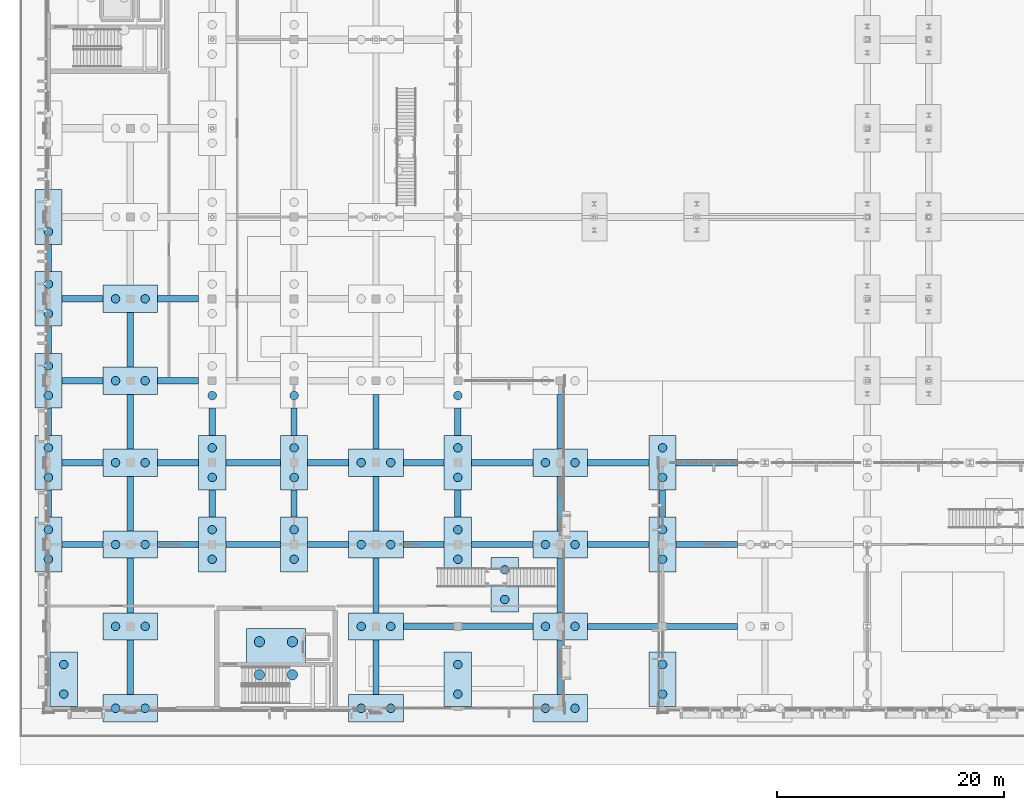
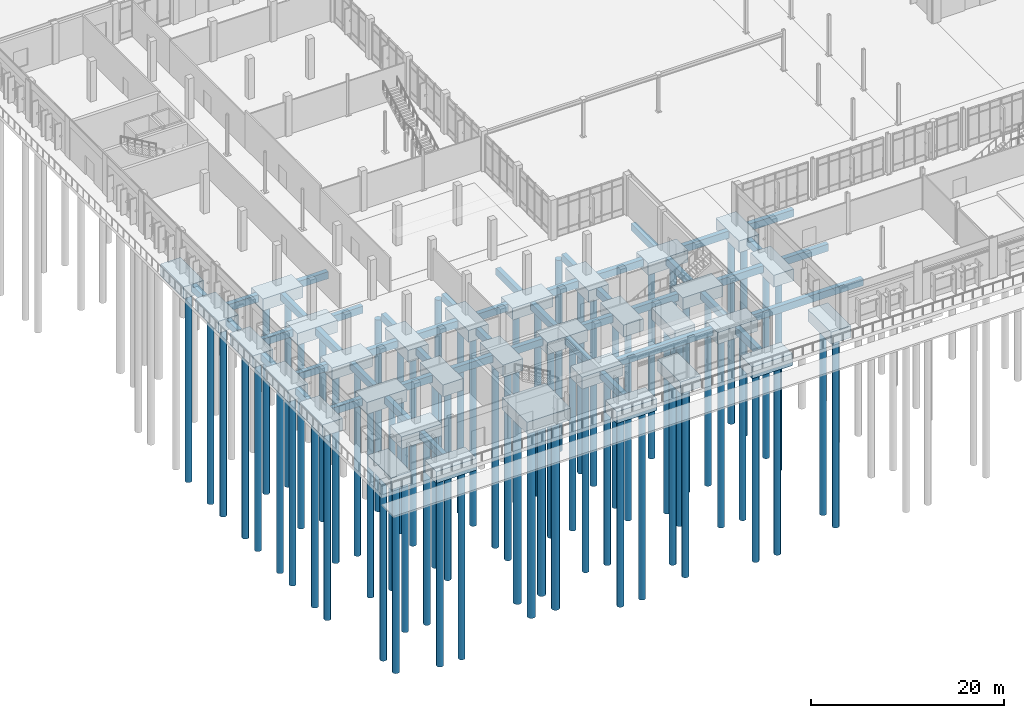
# One storey, part 1 of 94: 78 footings, 68 piles.
"""IFC4 building model written with IfcOpenShell, lengths in metres."""

from ifc_helpers import new_model, si_unit, direction, frame, origin, origin_2d, place, context, subcontext, project, spatial, rectangle, circle, extrude, material, material_profile, profile_set, type_object, element, save


model = new_model("IFC4")

# Units and contexts
model_context = context("Model", 3, precision=1e-05, world=origin(), true_north=direction((0.0, 1.0)))
body_context = subcontext(model_context, "Body", "Model", "MODEL_VIEW")
ifc_project = project(units=[si_unit("LENGTHUNIT", "METRE"), si_unit("AREAUNIT", "SQUARE_METRE"), si_unit("VOLUMEUNIT", "CUBIC_METRE"), si_unit("PLANEANGLEUNIT", "RADIAN"), si_unit("MASSUNIT", "GRAM", prefix="KILO")], contexts=[model_context])

# Site, building, storey
site_placement = place(None, origin())
site = spatial("IfcSite", under=ifc_project, at=site_placement, CompositionType="ELEMENT")
building_placement = place(site_placement, origin())
building = spatial("IfcBuilding", under=site, at=building_placement, Name="Vervanel Yard Central Library", CompositionType="ELEMENT")
storey_placement = place(building_placement, origin())
storey = spatial("IfcBuildingStorey", under=building, at=storey_placement, Name="L00", CompositionType="ELEMENT", Elevation=0.0)

# Piles
ifc_material = material(Name="Concrete C40/50", Category="concrete")
ifc_material_profile_1 = material_profile(ifc_material, circle(Radius=0.375, at=origin_2d()), Name="BP D750", Category="concrete")
ifc_profile_set_1 = profile_set([ifc_material_profile_1], Name="Concrete C40/50")
pile_type_1 = type_object("IfcPileType", Name="Bored Concrete Pile D750", PredefinedType="BORED", material=ifc_profile_set_1)
for number, where, z_axis, x_axis, name in (
    (1, (1.35009765625, 1.25, -1.75), (0.0, 0.0, -1.0), (1.0, 0.0, 0.0), "Bored Concrete Pile 405 under PCAP-100"),
    (2, (1.35009765625, 3.85009765625, -1.75), (0.0, 0.0, -1.0), (1.0, 0.0, 0.0), "Bored Concrete Pile 406 under PCAP-100"),
    (3, (0.0, 13.10009765625, -1.75), (0.0, 0.0, -1.0), (1.0, 0.0, 0.0), "Bored Concrete Pile 407 under PCAP-101"),
    (4, (0.0, 15.699951171875, -1.75), (0.0, 0.0, -1.0), (1.0, 0.0, 0.0), "Bored Concrete Pile 408 under PCAP-101"),
    (5, (0.0, 20.300048828125, -1.75), (0.0, 0.0, -1.0), (1.0, 0.0, 0.0), "Bored Concrete Pile 409 under PCAP-102"),
    (6, (0.0, 22.89990234375, -1.75), (0.0, 0.0, -1.0), (1.0, 0.0, 0.0), "Bored Concrete Pile 410 under PCAP-102"),
    (7, (0.0, 27.5, -1.75), (0.0, 0.0, -1.0), (1.0, 0.0, 0.0), "Bored Concrete Pile 411 under PCAP-103"),
    (8, (0.0, 30.10009765625, -1.75), (0.0, 0.0, -1.0), (1.0, 0.0, 0.0), "Bored Concrete Pile 412 under PCAP-103"),
    (9, (0.0, 34.699951171875, -1.75), (0.0, 0.0, -1.0), (1.0, 0.0, 0.0), "Bored Concrete Pile 413 under PCAP-104"),
    (10, (0.0, 37.300048828125, -1.75), (0.0, 0.0, -1.0), (1.0, 0.0, 0.0), "Bored Concrete Pile 414 under PCAP-104"),
    (11, (0.0, 41.89990234375, -1.75), (0.0, 0.0, -1.0), (1.0, 0.0, 0.0), "Bored Concrete Pile 415 under PCAP-105"),
    (12, (14.39990234375, 13.10009765625, -1.75), (0.0, 0.0, -1.0), (1.0, 0.0, 0.0), "Bored Concrete Pile 423 under PCAP-109"),
    (13, (14.39990234375, 15.699951171875, -1.75), (0.0, 0.0, -1.0), (1.0, 0.0, 0.0), "Bored Concrete Pile 424 under PCAP-109"),
    (14, (14.39990234375, 20.300048828125, -1.75), (0.0, 0.0, -1.0), (1.0, 0.0, 0.0), "Bored Concrete Pile 425 under PCAP-110"),
    (15, (14.39990234375, 22.89990234375, -1.75), (0.0, 0.0, -1.0), (1.0, 0.0, 0.0), "Bored Concrete Pile 426 under PCAP-110"),
    (16, (14.39990234375, 27.5, -1.75), (0.0, 0.0, -1.0), (1.0, 0.0, 0.0), "Bored Concrete Pile 427 under PCAP-111"),
    (17, (21.60009765625, 13.10009765625, -1.75), (0.0, 0.0, -1.0), (1.0, 0.0, 0.0), "Bored Concrete Pile 443 under PCAP-119"),
    (18, (21.60009765625, 15.699951171875, -1.75), (0.0, 0.0, -1.0), (1.0, 0.0, 0.0), "Bored Concrete Pile 444 under PCAP-119"),
    (19, (21.60009765625, 20.300048828125, -1.75), (0.0, 0.0, -1.0), (1.0, 0.0, 0.0), "Bored Concrete Pile 445 under PCAP-120"),
    (20, (21.60009765625, 22.89990234375, -1.75), (0.0, 0.0, -1.0), (1.0, 0.0, 0.0), "Bored Concrete Pile 446 under PCAP-120"),
    (21, (21.60009765625, 27.5, -1.75), (0.0, 0.0, -1.0), (1.0, 0.0, 0.0), "Bored Concrete Pile 447 under PCAP-121"),
    (22, (36.0, 1.25, -1.75), (0.0, 0.0, -1.0), (1.0, 0.0, 0.0), "Bored Concrete Pile 463 under PCAP-129"),
    (23, (36.0, 3.85009765625, -1.75), (0.0, 0.0, -1.0), (1.0, 0.0, 0.0), "Bored Concrete Pile 464 under PCAP-129"),
    (24, (36.0, 13.10009765625, -1.75), (0.0, 0.0, -1.0), (1.0, 0.0, 0.0), "Bored Concrete Pile 465 under PCAP-130"),
    (25, (36.0, 15.699951171875, -1.75), (0.0, 0.0, -1.0), (1.0, 0.0, 0.0), "Bored Concrete Pile 466 under PCAP-130"),
    (26, (36.0, 20.300048828125, -1.75), (0.0, 0.0, -1.0), (1.0, 0.0, 0.0), "Bored Concrete Pile 467 under PCAP-131"),
    (27, (36.0, 22.89990234375, -1.75), (0.0, 0.0, -1.0), (1.0, 0.0, 0.0), "Bored Concrete Pile 468 under PCAP-131"),
    (28, (36.0, 27.5, -1.75), (0.0, 0.0, -1.0), (1.0, 0.0, 0.0), "Bored Concrete Pile 469 under PCAP-132"),
    (29, (40.1201171875, 9.56494140625, -1.75), (0.0, 0.0, -1.0), (1.0, 0.0, 0.0), "Bored Concrete Pile 483 under PCAP-139"),
    (30, (40.1201171875, 12.1650390625, -1.75), (0.0, 0.0, -1.0), (1.0, 0.0, 0.0), "Bored Concrete Pile 484 under PCAP-139"),
    (31, (54.0, 1.25, -1.75), (0.0, 0.0, -1.0), (1.0, 0.0, 0.0), "Bored Concrete Pile 485 under PCAP-140"),
    (32, (54.0, 3.85009765625, -1.75), (0.0, 0.0, -1.0), (1.0, 0.0, 0.0), "Bored Concrete Pile 486 under PCAP-140"),
    (33, (54.0, 13.10009765625, -1.75), (0.0, 0.0, -1.0), (1.0, 0.0, 0.0), "Bored Concrete Pile 487 under PCAP-141"),
    (34, (54.0, 15.699951171875, -1.75), (0.0, 0.0, -1.0), (1.0, 0.0, 0.0), "Bored Concrete Pile 488 under PCAP-141"),
    (35, (54.0, 20.300048828125, -1.75), (0.0, 0.0, -1.0), (1.0, 0.0, 0.0), "Bored Concrete Pile 489 under PCAP-142"),
    (36, (54.0, 22.89990234375, -1.75), (0.0, 0.0, -1.0), (1.0, 0.0, 0.0), "Bored Concrete Pile 490 under PCAP-142"),
    (37, (5.89990234375, 0.0, -1.75), (0.0, 0.0, -1.0), (1.0, 0.0, 0.0), "Bored Concrete Pile 533 under PCAP-164"),
    (38, (8.5, 0.0, -1.75), (0.0, 0.0, -1.0), (1.0, 0.0, 0.0), "Bored Concrete Pile 534 under PCAP-164"),
    (39, (5.89990234375, 7.199951171875, -1.75), (0.0, 0.0, -1.0), (1.0, 0.0, 0.0), "Bored Concrete Pile 535 under PCAP-165"),
    (40, (8.5, 7.199951171875, -1.75), (0.0, 0.0, -1.0), (1.0, 0.0, 0.0), "Bored Concrete Pile 536 under PCAP-165"),
    (41, (5.89990234375, 14.39990234375, -1.75), (0.0, 0.0, -1.0), (1.0, 0.0, 0.0), "Bored Concrete Pile 537 under PCAP-166"),
    (42, (8.5, 14.39990234375, -1.75), (0.0, 0.0, -1.0), (1.0, 0.0, 0.0), "Bored Concrete Pile 538 under PCAP-166"),
    (43, (5.89990234375, 21.60009765625, -1.75), (0.0, 0.0, -1.0), (1.0, 0.0, 0.0), "Bored Concrete Pile 539 under PCAP-167"),
    (44, (8.5, 21.60009765625, -1.75), (0.0, 0.0, -1.0), (1.0, 0.0, 0.0), "Bored Concrete Pile 540 under PCAP-167"),
    (45, (5.89990234375, 28.800048828125, -1.75), (0.0, 0.0, -1.0), (1.0, 0.0, 0.0), "Bored Concrete Pile 541 under PCAP-168"),
    (46, (8.5, 28.800048828125, -1.75), (0.0, 0.0, -1.0), (1.0, 0.0, 0.0), "Bored Concrete Pile 542 under PCAP-168"),
    (47, (5.89990234375, 36.0, -1.75), (0.0, 0.0, -1.0), (1.0, 0.0, 0.0), "Bored Concrete Pile 543 under PCAP-169"),
    (48, (8.5, 36.0, -1.75), (0.0, 0.0, -1.0), (1.0, 0.0, 0.0), "Bored Concrete Pile 544 under PCAP-169"),
    (49, (27.5, 0.0, -1.75), (0.0, 0.0, -1.0), (1.0, 0.0, 0.0), "Bored Concrete Pile 553 under PCAP-174"),
    (50, (30.10009765625, 0.0, -1.75), (0.0, 0.0, -1.0), (1.0, 0.0, 0.0), "Bored Concrete Pile 554 under PCAP-174"),
    (51, (27.5, 7.199951171875, -1.75), (0.0, 0.0, -1.0), (1.0, 0.0, 0.0), "Bored Concrete Pile 555 under PCAP-175"),
    (52, (30.10009765625, 7.199951171875, -1.75), (0.0, 0.0, -1.0), (1.0, 0.0, 0.0), "Bored Concrete Pile 556 under PCAP-175"),
    (53, (27.5, 14.39990234375, -1.75), (0.0, 0.0, -1.0), (1.0, 0.0, 0.0), "Bored Concrete Pile 557 under PCAP-176"),
    (54, (30.10009765625, 14.39990234375, -1.75), (0.0, 0.0, -1.0), (1.0, 0.0, 0.0), "Bored Concrete Pile 558 under PCAP-176"),
    (55, (27.5, 21.60009765625, -1.75), (0.0, 0.0, -1.0), (1.0, 0.0, 0.0), "Bored Concrete Pile 559 under PCAP-177"),
    (56, (30.10009765625, 21.60009765625, -1.75), (0.0, 0.0, -1.0), (1.0, 0.0, 0.0), "Bored Concrete Pile 560 under PCAP-177"),
    (57, (43.699951171875, 0.0, -1.75), (0.0, 0.0, -1.0), (1.0, 0.0, 0.0), "Bored Concrete Pile 575 under PCAP-185"),
    (58, (46.300048828125, 0.0, -1.75), (0.0, 0.0, -1.0), (1.0, 0.0, 0.0), "Bored Concrete Pile 576 under PCAP-185"),
    (59, (43.699951171875, 7.199951171875, -1.75), (0.0, 0.0, -1.0), (1.0, 0.0, 0.0), "Bored Concrete Pile 577 under PCAP-186"),
    (60, (46.300048828125, 7.199951171875, -1.75), (0.0, 0.0, -1.0), (1.0, 0.0, 0.0), "Bored Concrete Pile 578 under PCAP-186"),
    (61, (43.699951171875, 14.39990234375, -1.75), (0.0, 0.0, -1.0), (1.0, 0.0, 0.0), "Bored Concrete Pile 579 under PCAP-187"),
    (62, (46.300048828125, 14.39990234375, -1.75), (0.0, 0.0, -1.0), (1.0, 0.0, 0.0), "Bored Concrete Pile 580 under PCAP-187"),
    (63, (43.699951171875, 21.60009765625, -1.75), (0.0, 0.0, -1.0), (1.0, 0.0, 0.0), "Bored Concrete Pile 581 under PCAP-188"),
    (64, (46.300048828125, 21.60009765625, -1.75), (0.0, 0.0, -1.0), (1.0, 0.0, 0.0), "Bored Concrete Pile 582 under PCAP-188"),
):
    element("IfcPile", number, at=place(storey_placement, frame(where, z_axis=z_axis, x_axis=x_axis)), inside=storey, type_object=pile_type_1, Name=name, PredefinedType="BORED", context=body_context, shape_type="SweptSolid", body=[
        extrude(circle(Radius=0.375, at=origin_2d()), origin(), (0.0, 0.0, 1.0), 24.25),
    ])
ifc_material_profile_2 = material_profile(ifc_material, circle(Radius=0.449951171875, at=origin_2d()), Name="BP D900", Category="concrete")
ifc_profile_set_2 = profile_set([ifc_material_profile_2], Name="Concrete C40/50")
pile_type_2 = type_object("IfcPileType", Name="Bored Concrete Pile D900", PredefinedType="BORED", material=ifc_profile_set_2)
for number, where, z_axis, x_axis, name in (
    (65, (18.550048828125, 2.949951171875, -1.75), (0.0, 0.0, -1.0), (1.0, 0.0, 0.0), "Bored Concrete Pile 29 under PCAP-006"),
    (66, (21.449951171875, 2.949951171875, -1.75), (0.0, 0.0, -1.0), (1.0, 0.0, 0.0), "Bored Concrete Pile 30 under PCAP-006"),
    (67, (18.550048828125, 5.85009765625, -1.75), (0.0, 0.0, -1.0), (1.0, 0.0, 0.0), "Bored Concrete Pile 31 under PCAP-006"),
    (68, (21.449951171875, 5.85009765625, -1.75), (0.0, 0.0, -1.0), (1.0, 0.0, 0.0), "Bored Concrete Pile 32 under PCAP-006"),
):
    element("IfcPile", number, at=place(storey_placement, frame(where, z_axis=z_axis, x_axis=x_axis)), inside=storey, type_object=pile_type_2, Name=name, PredefinedType="BORED", context=body_context, shape_type="SweptSolid", body=[
        extrude(circle(Radius=0.449951171875, at=origin_2d()), origin(), (0.0, 0.0, 1.0), 24.25),
    ])

# Footings
footing_type_1 = type_object("IfcFootingType", Name="Combined 2-Pile Cap 2400x4800x1500", PredefinedType="PILE_CAP", material=ifc_material)
for number, where, z_axis, x_axis, name in (
    (69, (1.35009765625, 2.550048828125, -1.89990234375), (0.0, 0.0, 1.0), (1.0, 0.0, 0.0), "Combined Pile Cap PCAP-100 (PC-01)"),
    (70, (0.0, 14.39990234375, -1.89990234375), (0.0, 0.0, 1.0), (1.0, 0.0, 0.0), "Combined Pile Cap PCAP-101 (PC-01)"),
    (71, (0.0, 21.60009765625, -1.89990234375), (0.0, 0.0, 1.0), (1.0, 0.0, 0.0), "Combined Pile Cap PCAP-102 (PC-01)"),
    (72, (0.0, 28.800048828125, -1.89990234375), (0.0, 0.0, 1.0), (1.0, 0.0, 0.0), "Combined Pile Cap PCAP-103 (PC-01)"),
    (73, (0.0, 36.0, -1.89990234375), (0.0, 0.0, 1.0), (1.0, 0.0, 0.0), "Combined Pile Cap PCAP-104 (PC-01)"),
    (74, (0.0, 43.199951171875, -1.89990234375), (0.0, 0.0, 1.0), (1.0, 0.0, 0.0), "Combined Pile Cap PCAP-105 (PC-01)"),
    (75, (14.39990234375, 14.39990234375, -1.89990234375), (0.0, 0.0, 1.0), (1.0, 0.0, 0.0), "Combined Pile Cap PCAP-109 (PC-01)"),
    (76, (14.39990234375, 21.60009765625, -1.89990234375), (0.0, 0.0, 1.0), (1.0, 0.0, 0.0), "Combined Pile Cap PCAP-110 (PC-01)"),
    (77, (21.60009765625, 14.39990234375, -1.89990234375), (0.0, 0.0, 1.0), (1.0, 0.0, 0.0), "Combined Pile Cap PCAP-119 (PC-01)"),
    (78, (21.60009765625, 21.60009765625, -1.89990234375), (0.0, 0.0, 1.0), (1.0, 0.0, 0.0), "Combined Pile Cap PCAP-120 (PC-01)"),
    (79, (36.0, 2.550048828125, -1.89990234375), (0.0, 0.0, 1.0), (1.0, 0.0, 0.0), "Combined Pile Cap PCAP-129 (PC-01)"),
    (80, (36.0, 14.39990234375, -1.89990234375), (0.0, 0.0, 1.0), (1.0, 0.0, 0.0), "Combined Pile Cap PCAP-130 (PC-01)"),
    (81, (36.0, 21.60009765625, -1.89990234375), (0.0, 0.0, 1.0), (1.0, 0.0, 0.0), "Combined Pile Cap PCAP-131 (PC-01)"),
    (82, (40.1201171875, 10.864990234375, -1.89990234375), (0.0, 0.0, 1.0), (1.0, 0.0, 0.0), "Combined Pile Cap PCAP-139 (PC-01)"),
    (83, (54.0, 2.550048828125, -1.89990234375), (0.0, 0.0, 1.0), (1.0, 0.0, 0.0), "Combined Pile Cap PCAP-140 (PC-01)"),
    (84, (54.0, 14.39990234375, -1.89990234375), (0.0, 0.0, 1.0), (1.0, 0.0, 0.0), "Combined Pile Cap PCAP-141 (PC-01)"),
    (85, (54.0, 21.60009765625, -1.89990234375), (0.0, 0.0, 1.0), (1.0, 0.0, 0.0), "Combined Pile Cap PCAP-142 (PC-01)"),
):
    element("IfcFooting", number, at=place(storey_placement, frame(where, z_axis=z_axis, x_axis=x_axis)), inside=storey, type_object=footing_type_1, Name=name, PredefinedType="PILE_CAP", context=body_context, shape_type="SweptSolid", body=[
        extrude(rectangle(XDim=2.39990234375, YDim=4.800048828125, at=origin_2d()), origin(), (0.0, 0.0, 1.0), 1.5),
    ])
footing_type_2 = type_object("IfcFootingType", Name="Combined 2-Pile Cap 4800x2400x1500", PredefinedType="PILE_CAP", material=ifc_material)
for number, where, z_axis, x_axis, name in (
    (86, (7.199951171875, 0.0, -1.89990234375), (0.0, 0.0, 1.0), (1.0, 0.0, 0.0), "Combined Pile Cap PCAP-164 (PC-02)"),
    (87, (7.199951171875, 7.199951171875, -1.89990234375), (0.0, 0.0, 1.0), (1.0, 0.0, 0.0), "Combined Pile Cap PCAP-165 (PC-02)"),
    (88, (7.199951171875, 14.39990234375, -1.89990234375), (0.0, 0.0, 1.0), (1.0, 0.0, 0.0), "Combined Pile Cap PCAP-166 (PC-02)"),
    (89, (7.199951171875, 21.60009765625, -1.89990234375), (0.0, 0.0, 1.0), (1.0, 0.0, 0.0), "Combined Pile Cap PCAP-167 (PC-02)"),
    (90, (7.199951171875, 28.800048828125, -1.89990234375), (0.0, 0.0, 1.0), (1.0, 0.0, 0.0), "Combined Pile Cap PCAP-168 (PC-02)"),
    (91, (7.199951171875, 36.0, -1.89990234375), (0.0, 0.0, 1.0), (1.0, 0.0, 0.0), "Combined Pile Cap PCAP-169 (PC-02)"),
    (92, (28.800048828125, 0.0, -1.89990234375), (0.0, 0.0, 1.0), (1.0, 0.0, 0.0), "Combined Pile Cap PCAP-174 (PC-02)"),
    (93, (28.800048828125, 7.199951171875, -1.89990234375), (0.0, 0.0, 1.0), (1.0, 0.0, 0.0), "Combined Pile Cap PCAP-175 (PC-02)"),
    (94, (28.800048828125, 14.39990234375, -1.89990234375), (0.0, 0.0, 1.0), (1.0, 0.0, 0.0), "Combined Pile Cap PCAP-176 (PC-02)"),
    (95, (28.800048828125, 21.60009765625, -1.89990234375), (0.0, 0.0, 1.0), (1.0, 0.0, 0.0), "Combined Pile Cap PCAP-177 (PC-02)"),
    (96, (45.0, 0.0, -1.89990234375), (0.0, 0.0, 1.0), (1.0, 0.0, 0.0), "Combined Pile Cap PCAP-185 (PC-02)"),
    (97, (45.0, 7.199951171875, -1.89990234375), (0.0, 0.0, 1.0), (1.0, 0.0, 0.0), "Combined Pile Cap PCAP-186 (PC-02)"),
    (98, (45.0, 14.39990234375, -1.89990234375), (0.0, 0.0, 1.0), (1.0, 0.0, 0.0), "Combined Pile Cap PCAP-187 (PC-02)"),
    (99, (45.0, 21.60009765625, -1.89990234375), (0.0, 0.0, 1.0), (1.0, 0.0, 0.0), "Combined Pile Cap PCAP-188 (PC-02)"),
):
    element("IfcFooting", number, at=place(storey_placement, frame(where, z_axis=z_axis, x_axis=x_axis)), inside=storey, type_object=footing_type_2, Name=name, PredefinedType="PILE_CAP", context=body_context, shape_type="SweptSolid", body=[
        extrude(rectangle(XDim=4.800048828125, YDim=2.39990234375, at=origin_2d()), origin(), (0.0, 0.0, 1.0), 1.5),
    ])
footing_type_3 = type_object("IfcFootingType", Name="Combined 4-Pile Heavy Cap 5200x5200x1500", PredefinedType="PILE_CAP", material=ifc_material)
footing_1_placement = place(storey_placement, frame((20.0, 4.39990234375, -1.89990234375), z_axis=(0.0, 0.0, 1.0), x_axis=(1.0, 0.0, 0.0)))
element("IfcFooting", 100, at=footing_1_placement, inside=storey, type_object=footing_type_3, Name="Combined Pile Cap PCAP-006 (PC-04)", PredefinedType="PILE_CAP", context=body_context, shape_type="SweptSolid", body=[
    extrude(rectangle(XDim=5.199951171875, YDim=5.199951171875, at=origin_2d()), origin(), (0.0, 0.0, 1.0), 1.5),
])
ifc_material_profile_3 = material_profile(ifc_material, rectangle(XDim=0.550048828125, YDim=0.89990234375, at=origin_2d()), Name="RC 550x900", Category="concrete")
ifc_profile_set_3 = profile_set([ifc_material_profile_3], Name="Concrete C40/50")
footing_type_4 = type_object("IfcFootingType", Name="Concrete Footing Beam 550x900", PredefinedType="FOOTING_BEAM", material=ifc_profile_set_3)
footing_2_placement = place(storey_placement, frame((31.199951171875, 7.199951171875, -0.8701171875), z_axis=(1.0, 0.0, 0.0), x_axis=(0.0, 1.0, 0.0)))
element("IfcFooting", 101, at=footing_2_placement, inside=storey, type_object=footing_type_4, Name="Concrete Footing Beam FB-X-001", PredefinedType="FOOTING_BEAM", context=body_context, shape_type="SweptSolid", body=[
    extrude(rectangle(XDim=0.550048828125, YDim=0.89990234375, at=origin_2d()), origin(), (0.0, 0.0, 1.0), 11.400146484375),
])
footing_3_placement = place(storey_placement, frame((47.39990234375, 7.199951171875, -0.8701171875), z_axis=(1.0, 0.0, 0.0), x_axis=(0.0, 1.0, 0.0)))
element("IfcFooting", 102, at=footing_3_placement, inside=storey, type_object=footing_type_4, Name="Concrete Footing Beam FB-X-002", PredefinedType="FOOTING_BEAM", context=body_context, shape_type="SweptSolid", body=[
    extrude(rectangle(XDim=0.550048828125, YDim=0.89990234375, at=origin_2d()), origin(), (0.0, 0.0, 1.0), 13.2001953125),
])
footing_4_placement = place(storey_placement, frame((1.199951171875, 14.39990234375, -0.8701171875), z_axis=(1.0, 0.0, 0.0), x_axis=(0.0, 1.0, 0.0)))
element("IfcFooting", 103, at=footing_4_placement, inside=storey, type_object=footing_type_4, Name="Concrete Footing Beam FB-X-003", PredefinedType="FOOTING_BEAM", context=body_context, shape_type="SweptSolid", body=[
    extrude(rectangle(XDim=0.550048828125, YDim=0.89990234375, at=origin_2d()), origin(), (0.0, 0.0, 1.0), 3.60009765625),
])
footing_5_placement = place(storey_placement, frame((9.60009765625, 14.39990234375, -0.8701171875), z_axis=(1.0, 0.0, 0.0), x_axis=(0.0, 1.0, 0.0)))
element("IfcFooting", 104, at=footing_5_placement, inside=storey, type_object=footing_type_4, Name="Concrete Footing Beam FB-X-004", PredefinedType="FOOTING_BEAM", context=body_context, shape_type="SweptSolid", body=[
    extrude(rectangle(XDim=0.550048828125, YDim=0.89990234375, at=origin_2d()), origin(), (0.0, 0.0, 1.0), 3.599853515625),
])
footing_6_placement = place(storey_placement, frame((15.60009765625, 14.39990234375, -0.8701171875), z_axis=(1.0, 0.0, 0.0), x_axis=(0.0, 1.0, 0.0)))
element("IfcFooting", 105, at=footing_6_placement, inside=storey, type_object=footing_type_4, Name="Concrete Footing Beam FB-X-005", PredefinedType="FOOTING_BEAM", context=body_context, shape_type="SweptSolid", body=[
    extrude(rectangle(XDim=0.550048828125, YDim=0.89990234375, at=origin_2d()), origin(), (0.0, 0.0, 1.0), 4.7998046875),
])
footing_7_placement = place(storey_placement, frame((22.800048828125, 14.39990234375, -0.8701171875), z_axis=(1.0, 0.0, 0.0), x_axis=(0.0, 1.0, 0.0)))
element("IfcFooting", 106, at=footing_7_placement, inside=storey, type_object=footing_type_4, Name="Concrete Footing Beam FB-X-006", PredefinedType="FOOTING_BEAM", context=body_context, shape_type="SweptSolid", body=[
    extrude(rectangle(XDim=0.550048828125, YDim=0.89990234375, at=origin_2d()), origin(), (0.0, 0.0, 1.0), 3.599853515625),
])
footing_8_placement = place(storey_placement, frame((31.199951171875, 14.39990234375, -0.8701171875), z_axis=(1.0, 0.0, 0.0), x_axis=(0.0, 1.0, 0.0)))
element("IfcFooting", 107, at=footing_8_placement, inside=storey, type_object=footing_type_4, Name="Concrete Footing Beam FB-X-007", PredefinedType="FOOTING_BEAM", context=body_context, shape_type="SweptSolid", body=[
    extrude(rectangle(XDim=0.550048828125, YDim=0.89990234375, at=origin_2d()), origin(), (0.0, 0.0, 1.0), 3.60009765625),
])
for number, where, z_axis, x_axis, name in (
    (108, (37.199951171875, 14.39990234375, -0.8701171875), (1.0, 0.0, 0.0), (0.0, 1.0, 0.0), "Concrete Footing Beam FB-X-008"),
    (109, (47.39990234375, 14.39990234375, -0.8701171875), (1.0, 0.0, 0.0), (0.0, 1.0, 0.0), "Concrete Footing Beam FB-X-009"),
    (110, (55.199951171875, 14.39990234375, -0.8701171875), (1.0, 0.0, 0.0), (0.0, 1.0, 0.0), "Concrete Footing Beam FB-X-010"),
):
    element("IfcFooting", number, at=place(storey_placement, frame(where, z_axis=z_axis, x_axis=x_axis)), inside=storey, type_object=footing_type_4, Name=name, PredefinedType="FOOTING_BEAM", context=body_context, shape_type="SweptSolid", body=[
        extrude(rectangle(XDim=0.550048828125, YDim=0.89990234375, at=origin_2d()), origin(), (0.0, 0.0, 1.0), 5.400146484375),
    ])
footing_9_placement = place(storey_placement, frame((1.199951171875, 21.60009765625, -0.8701171875), z_axis=(1.0, 0.0, 0.0), x_axis=(0.0, 1.0, 0.0)))
element("IfcFooting", 111, at=footing_9_placement, inside=storey, type_object=footing_type_4, Name="Concrete Footing Beam FB-X-014", PredefinedType="FOOTING_BEAM", context=body_context, shape_type="SweptSolid", body=[
    extrude(rectangle(XDim=0.550048828125, YDim=0.89990234375, at=origin_2d()), origin(), (0.0, 0.0, 1.0), 3.60009765625),
])
footing_10_placement = place(storey_placement, frame((9.60009765625, 21.60009765625, -0.8701171875), z_axis=(1.0, 0.0, 0.0), x_axis=(0.0, 1.0, 0.0)))
element("IfcFooting", 112, at=footing_10_placement, inside=storey, type_object=footing_type_4, Name="Concrete Footing Beam FB-X-015", PredefinedType="FOOTING_BEAM", context=body_context, shape_type="SweptSolid", body=[
    extrude(rectangle(XDim=0.550048828125, YDim=0.89990234375, at=origin_2d()), origin(), (0.0, 0.0, 1.0), 3.599853515625),
])
footing_11_placement = place(storey_placement, frame((15.60009765625, 21.60009765625, -0.8701171875), z_axis=(1.0, 0.0, 0.0), x_axis=(0.0, 1.0, 0.0)))
element("IfcFooting", 113, at=footing_11_placement, inside=storey, type_object=footing_type_4, Name="Concrete Footing Beam FB-X-016", PredefinedType="FOOTING_BEAM", context=body_context, shape_type="SweptSolid", body=[
    extrude(rectangle(XDim=0.550048828125, YDim=0.89990234375, at=origin_2d()), origin(), (0.0, 0.0, 1.0), 4.7998046875),
])
footing_12_placement = place(storey_placement, frame((22.800048828125, 21.60009765625, -0.8701171875), z_axis=(1.0, 0.0, 0.0), x_axis=(0.0, 1.0, 0.0)))
element("IfcFooting", 114, at=footing_12_placement, inside=storey, type_object=footing_type_4, Name="Concrete Footing Beam FB-X-017", PredefinedType="FOOTING_BEAM", context=body_context, shape_type="SweptSolid", body=[
    extrude(rectangle(XDim=0.550048828125, YDim=0.89990234375, at=origin_2d()), origin(), (0.0, 0.0, 1.0), 3.599853515625),
])
footing_13_placement = place(storey_placement, frame((31.199951171875, 21.60009765625, -0.8701171875), z_axis=(1.0, 0.0, 0.0), x_axis=(0.0, 1.0, 0.0)))
element("IfcFooting", 115, at=footing_13_placement, inside=storey, type_object=footing_type_4, Name="Concrete Footing Beam FB-X-018", PredefinedType="FOOTING_BEAM", context=body_context, shape_type="SweptSolid", body=[
    extrude(rectangle(XDim=0.550048828125, YDim=0.89990234375, at=origin_2d()), origin(), (0.0, 0.0, 1.0), 3.60009765625),
])
for number, where, z_axis, x_axis, name in (
    (116, (37.199951171875, 21.60009765625, -0.8701171875), (1.0, 0.0, 0.0), (0.0, 1.0, 0.0), "Concrete Footing Beam FB-X-019"),
    (117, (47.39990234375, 21.60009765625, -0.8701171875), (1.0, 0.0, 0.0), (0.0, 1.0, 0.0), "Concrete Footing Beam FB-X-020"),
    (118, (55.199951171875, 21.60009765625, -0.8701171875), (1.0, 0.0, 0.0), (0.0, 1.0, 0.0), "Concrete Footing Beam FB-X-021"),
):
    element("IfcFooting", number, at=place(storey_placement, frame(where, z_axis=z_axis, x_axis=x_axis)), inside=storey, type_object=footing_type_4, Name=name, PredefinedType="FOOTING_BEAM", context=body_context, shape_type="SweptSolid", body=[
        extrude(rectangle(XDim=0.550048828125, YDim=0.89990234375, at=origin_2d()), origin(), (0.0, 0.0, 1.0), 5.400146484375),
    ])
footing_14_placement = place(storey_placement, frame((1.199951171875, 28.800048828125, -0.8701171875), z_axis=(1.0, 0.0, 0.0), x_axis=(0.0, 1.0, 0.0)))
element("IfcFooting", 119, at=footing_14_placement, inside=storey, type_object=footing_type_4, Name="Concrete Footing Beam FB-X-027", PredefinedType="FOOTING_BEAM", context=body_context, shape_type="SweptSolid", body=[
    extrude(rectangle(XDim=0.550048828125, YDim=0.89990234375, at=origin_2d()), origin(), (0.0, 0.0, 1.0), 3.60009765625),
])
footing_15_placement = place(storey_placement, frame((9.60009765625, 28.800048828125, -0.8701171875), z_axis=(1.0, 0.0, 0.0), x_axis=(0.0, 1.0, 0.0)))
element("IfcFooting", 120, at=footing_15_placement, inside=storey, type_object=footing_type_4, Name="Concrete Footing Beam FB-X-028", PredefinedType="FOOTING_BEAM", context=body_context, shape_type="SweptSolid", body=[
    extrude(rectangle(XDim=0.550048828125, YDim=0.89990234375, at=origin_2d()), origin(), (0.0, 0.0, 1.0), 3.599853515625),
])
footing_16_placement = place(storey_placement, frame((1.199951171875, 36.0, -0.8701171875), z_axis=(1.0, 0.0, 0.0), x_axis=(0.0, 1.0, 0.0)))
element("IfcFooting", 121, at=footing_16_placement, inside=storey, type_object=footing_type_4, Name="Concrete Footing Beam FB-X-034", PredefinedType="FOOTING_BEAM", context=body_context, shape_type="SweptSolid", body=[
    extrude(rectangle(XDim=0.550048828125, YDim=0.89990234375, at=origin_2d()), origin(), (0.0, 0.0, 1.0), 3.60009765625),
])
footing_17_placement = place(storey_placement, frame((9.60009765625, 36.0, -0.8701171875), z_axis=(1.0, 0.0, 0.0), x_axis=(0.0, 1.0, 0.0)))
element("IfcFooting", 122, at=footing_17_placement, inside=storey, type_object=footing_type_4, Name="Concrete Footing Beam FB-X-035", PredefinedType="FOOTING_BEAM", context=body_context, shape_type="SweptSolid", body=[
    extrude(rectangle(XDim=0.550048828125, YDim=0.89990234375, at=origin_2d()), origin(), (0.0, 0.0, 1.0), 3.599853515625),
])
for number, where, z_axis, x_axis, name in (
    (123, (0.0, 16.800048828125, -0.8701171875), (0.0, 1.0, 0.0), (-1.0, 0.0, 0.0), "Concrete Footing Beam FB-Y-144"),
    (124, (0.0, 24.0, -0.8701171875), (0.0, 1.0, 0.0), (-1.0, 0.0, 0.0), "Concrete Footing Beam FB-Y-145"),
):
    element("IfcFooting", number, at=place(storey_placement, frame(where, z_axis=z_axis, x_axis=x_axis)), inside=storey, type_object=footing_type_4, Name=name, PredefinedType="FOOTING_BEAM", context=body_context, shape_type="SweptSolid", body=[
        extrude(rectangle(XDim=0.550048828125, YDim=0.89990234375, at=origin_2d()), origin(), (0.0, 0.0, 1.0), 2.39990234375),
    ])
for number, where, z_axis, x_axis, name in (
    (125, (0.0, 31.199951171875, -0.8701171875), (0.0, 1.0, 0.0), (-1.0, 0.0, 0.0), "Concrete Footing Beam FB-Y-146"),
    (126, (0.0, 38.39990234375, -0.8701171875), (0.0, 1.0, 0.0), (-1.0, 0.0, 0.0), "Concrete Footing Beam FB-Y-147"),
):
    element("IfcFooting", number, at=place(storey_placement, frame(where, z_axis=z_axis, x_axis=x_axis)), inside=storey, type_object=footing_type_4, Name=name, PredefinedType="FOOTING_BEAM", context=body_context, shape_type="SweptSolid", body=[
        extrude(rectangle(XDim=0.550048828125, YDim=0.89990234375, at=origin_2d()), origin(), (0.0, 0.0, 1.0), 2.400146484375),
    ])
for number, where, z_axis, x_axis, name in (
    (127, (7.199951171875, 1.199951171875, -0.8701171875), (0.0, 1.0, 0.0), (-1.0, 0.0, 0.0), "Concrete Footing Beam FB-Y-150"),
    (128, (7.199951171875, 8.39990234375, -0.8701171875), (0.0, 1.0, 0.0), (-1.0, 0.0, 0.0), "Concrete Footing Beam FB-Y-151"),
):
    element("IfcFooting", number, at=place(storey_placement, frame(where, z_axis=z_axis, x_axis=x_axis)), inside=storey, type_object=footing_type_4, Name=name, PredefinedType="FOOTING_BEAM", context=body_context, shape_type="SweptSolid", body=[
        extrude(rectangle(XDim=0.550048828125, YDim=0.89990234375, at=origin_2d()), origin(), (0.0, 0.0, 1.0), 4.800048828125),
    ])
footing_18_placement = place(storey_placement, frame((7.199951171875, 15.60009765625, -0.8701171875), z_axis=(0.0, 1.0, 0.0), x_axis=(-1.0, 0.0, 0.0)))
element("IfcFooting", 129, at=footing_18_placement, inside=storey, type_object=footing_type_4, Name="Concrete Footing Beam FB-Y-152", PredefinedType="FOOTING_BEAM", context=body_context, shape_type="SweptSolid", body=[
    extrude(rectangle(XDim=0.550048828125, YDim=0.89990234375, at=origin_2d()), origin(), (0.0, 0.0, 1.0), 4.7998046875),
])
for number, where, z_axis, x_axis, name in (
    (130, (7.199951171875, 22.800048828125, -0.8701171875), (0.0, 1.0, 0.0), (-1.0, 0.0, 0.0), "Concrete Footing Beam FB-Y-153"),
    (131, (7.199951171875, 30.0, -0.8701171875), (0.0, 1.0, 0.0), (-1.0, 0.0, 0.0), "Concrete Footing Beam FB-Y-154"),
):
    element("IfcFooting", number, at=place(storey_placement, frame(where, z_axis=z_axis, x_axis=x_axis)), inside=storey, type_object=footing_type_4, Name=name, PredefinedType="FOOTING_BEAM", context=body_context, shape_type="SweptSolid", body=[
        extrude(rectangle(XDim=0.550048828125, YDim=0.89990234375, at=origin_2d()), origin(), (0.0, 0.0, 1.0), 4.800048828125),
    ])
for number, where, z_axis, x_axis, name in (
    (132, (14.39990234375, 16.800048828125, -0.8701171875), (0.0, 1.0, 0.0), (-1.0, 0.0, 0.0), "Concrete Footing Beam FB-Y-158"),
    (133, (14.39990234375, 24.0, -0.8701171875), (0.0, 1.0, 0.0), (-1.0, 0.0, 0.0), "Concrete Footing Beam FB-Y-159"),
    (134, (21.60009765625, 16.800048828125, -0.8701171875), (0.0, 1.0, 0.0), (-1.0, 0.0, 0.0), "Concrete Footing Beam FB-Y-167"),
    (135, (21.60009765625, 24.0, -0.8701171875), (0.0, 1.0, 0.0), (-1.0, 0.0, 0.0), "Concrete Footing Beam FB-Y-168"),
):
    element("IfcFooting", number, at=place(storey_placement, frame(where, z_axis=z_axis, x_axis=x_axis)), inside=storey, type_object=footing_type_4, Name=name, PredefinedType="FOOTING_BEAM", context=body_context, shape_type="SweptSolid", body=[
        extrude(rectangle(XDim=0.550048828125, YDim=0.89990234375, at=origin_2d()), origin(), (0.0, 0.0, 1.0), 2.39990234375),
    ])
for number, where, z_axis, x_axis, name in (
    (136, (28.800048828125, 1.199951171875, -0.8701171875), (0.0, 1.0, 0.0), (-1.0, 0.0, 0.0), "Concrete Footing Beam FB-Y-175"),
    (137, (28.800048828125, 8.39990234375, -0.8701171875), (0.0, 1.0, 0.0), (-1.0, 0.0, 0.0), "Concrete Footing Beam FB-Y-176"),
):
    element("IfcFooting", number, at=place(storey_placement, frame(where, z_axis=z_axis, x_axis=x_axis)), inside=storey, type_object=footing_type_4, Name=name, PredefinedType="FOOTING_BEAM", context=body_context, shape_type="SweptSolid", body=[
        extrude(rectangle(XDim=0.550048828125, YDim=0.89990234375, at=origin_2d()), origin(), (0.0, 0.0, 1.0), 4.800048828125),
    ])
footing_19_placement = place(storey_placement, frame((28.800048828125, 15.60009765625, -0.8701171875), z_axis=(0.0, 1.0, 0.0), x_axis=(-1.0, 0.0, 0.0)))
element("IfcFooting", 138, at=footing_19_placement, inside=storey, type_object=footing_type_4, Name="Concrete Footing Beam FB-Y-177", PredefinedType="FOOTING_BEAM", context=body_context, shape_type="SweptSolid", body=[
    extrude(rectangle(XDim=0.550048828125, YDim=0.89990234375, at=origin_2d()), origin(), (0.0, 0.0, 1.0), 4.7998046875),
])
footing_20_placement = place(storey_placement, frame((28.800048828125, 22.800048828125, -0.8701171875), z_axis=(0.0, 1.0, 0.0), x_axis=(-1.0, 0.0, 0.0)))
element("IfcFooting", 139, at=footing_20_placement, inside=storey, type_object=footing_type_4, Name="Concrete Footing Beam FB-Y-178", PredefinedType="FOOTING_BEAM", context=body_context, shape_type="SweptSolid", body=[
    extrude(rectangle(XDim=0.550048828125, YDim=0.89990234375, at=origin_2d()), origin(), (0.0, 0.0, 1.0), 4.800048828125),
])
for number, where, z_axis, x_axis, name in (
    (140, (36.0, 16.800048828125, -0.8701171875), (0.0, 1.0, 0.0), (-1.0, 0.0, 0.0), "Concrete Footing Beam FB-Y-185"),
    (141, (36.0, 24.0, -0.8701171875), (0.0, 1.0, 0.0), (-1.0, 0.0, 0.0), "Concrete Footing Beam FB-Y-186"),
):
    element("IfcFooting", number, at=place(storey_placement, frame(where, z_axis=z_axis, x_axis=x_axis)), inside=storey, type_object=footing_type_4, Name=name, PredefinedType="FOOTING_BEAM", context=body_context, shape_type="SweptSolid", body=[
        extrude(rectangle(XDim=0.550048828125, YDim=0.89990234375, at=origin_2d()), origin(), (0.0, 0.0, 1.0), 2.39990234375),
    ])
for number, where, z_axis, x_axis, name in (
    (142, (45.0, 1.199951171875, -0.8701171875), (0.0, 1.0, 0.0), (-1.0, 0.0, 0.0), "Concrete Footing Beam FB-Y-197"),
    (143, (45.0, 8.39990234375, -0.8701171875), (0.0, 1.0, 0.0), (-1.0, 0.0, 0.0), "Concrete Footing Beam FB-Y-198"),
):
    element("IfcFooting", number, at=place(storey_placement, frame(where, z_axis=z_axis, x_axis=x_axis)), inside=storey, type_object=footing_type_4, Name=name, PredefinedType="FOOTING_BEAM", context=body_context, shape_type="SweptSolid", body=[
        extrude(rectangle(XDim=0.550048828125, YDim=0.89990234375, at=origin_2d()), origin(), (0.0, 0.0, 1.0), 4.800048828125),
    ])
footing_21_placement = place(storey_placement, frame((45.0, 15.60009765625, -0.8701171875), z_axis=(0.0, 1.0, 0.0), x_axis=(-1.0, 0.0, 0.0)))
element("IfcFooting", 144, at=footing_21_placement, inside=storey, type_object=footing_type_4, Name="Concrete Footing Beam FB-Y-199", PredefinedType="FOOTING_BEAM", context=body_context, shape_type="SweptSolid", body=[
    extrude(rectangle(XDim=0.550048828125, YDim=0.89990234375, at=origin_2d()), origin(), (0.0, 0.0, 1.0), 4.7998046875),
])
footing_22_placement = place(storey_placement, frame((45.0, 22.800048828125, -0.8701171875), z_axis=(0.0, 1.0, 0.0), x_axis=(-1.0, 0.0, 0.0)))
element("IfcFooting", 145, at=footing_22_placement, inside=storey, type_object=footing_type_4, Name="Concrete Footing Beam FB-Y-200", PredefinedType="FOOTING_BEAM", context=body_context, shape_type="SweptSolid", body=[
    extrude(rectangle(XDim=0.550048828125, YDim=0.89990234375, at=origin_2d()), origin(), (0.0, 0.0, 1.0), 4.800048828125),
])
footing_23_placement = place(storey_placement, frame((54.0, 16.800048828125, -0.8701171875), z_axis=(0.0, 1.0, 0.0), x_axis=(-1.0, 0.0, 0.0)))
element("IfcFooting", 146, at=footing_23_placement, inside=storey, type_object=footing_type_4, Name="Concrete Footing Beam FB-Y-204", PredefinedType="FOOTING_BEAM", context=body_context, shape_type="SweptSolid", body=[
    extrude(rectangle(XDim=0.550048828125, YDim=0.89990234375, at=origin_2d()), origin(), (0.0, 0.0, 1.0), 2.39990234375),
])

save(model, "model.ifc")
